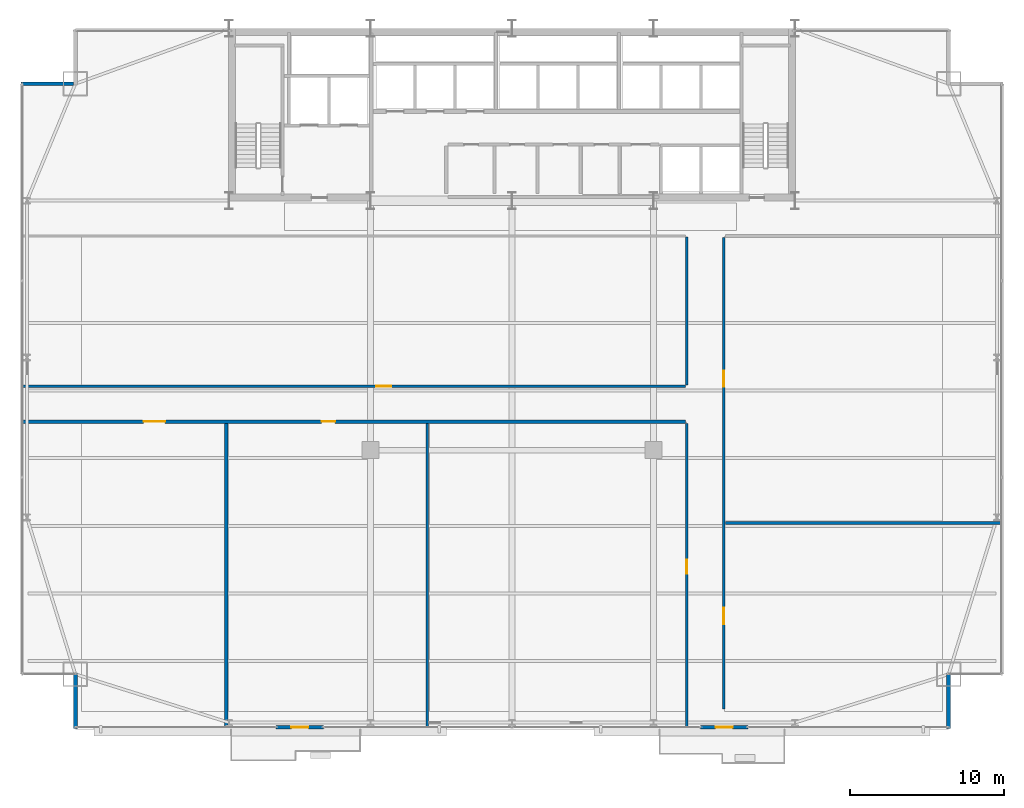
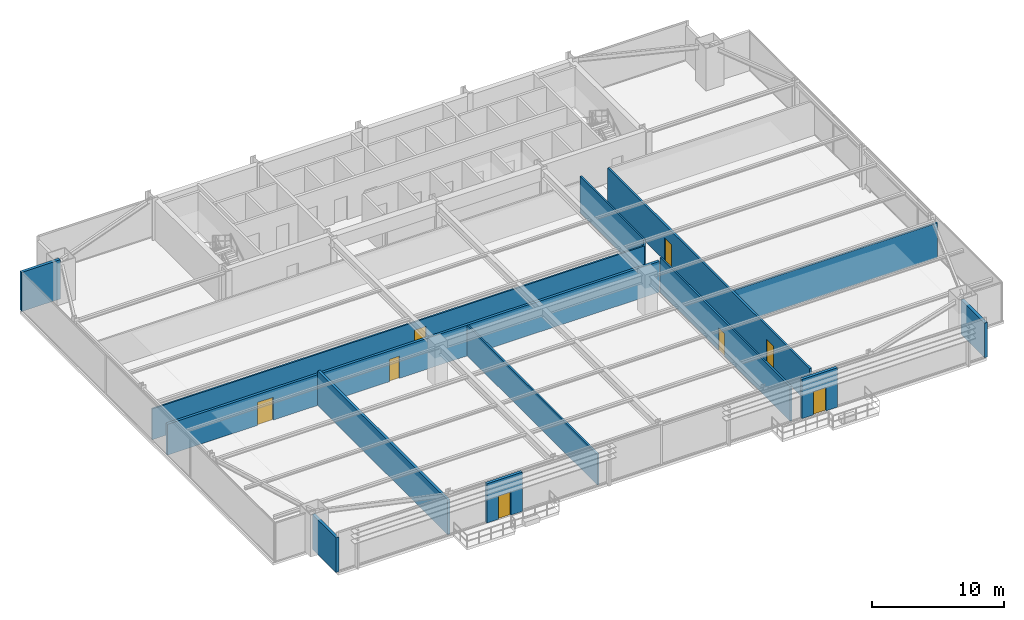
# One storey, part 27 of 31: 13 walls, 8 doors, 8 openings.
"""IFC4 building model written with IfcOpenShell, lengths in metres."""

from ifc_helpers import new_model, si_unit, direction, frame, frame_2d, origin, place, context, subcontext, project, spatial, rectangle, extrude, source, transform, mapped, material, layer, layer_set, type_object, type_shapes, element, fill, save


model = new_model("IFC4")

# Units and contexts
model_context = context("Model", 3, precision=1e-05, world=origin(), true_north=direction((0.0, 1.0)))
body_context = subcontext(model_context, "Body", "Model", "MODEL_VIEW")
ifc_project = project(units=[si_unit("LENGTHUNIT", "METRE"), si_unit("AREAUNIT", "SQUARE_METRE"), si_unit("VOLUMEUNIT", "CUBIC_METRE"), si_unit("PLANEANGLEUNIT", "RADIAN"), si_unit("MASSUNIT", "GRAM", prefix="KILO")], contexts=[model_context])

# Site, building, storey
site_placement = place(None, origin())
site = spatial("IfcSite", under=ifc_project, at=site_placement, CompositionType="ELEMENT")
building_placement = place(site_placement, origin())
building = spatial("IfcBuilding", under=site, at=building_placement, Name="Varnel Quay Broadcast Tower", CompositionType="ELEMENT")
storey_placement = place(building_placement, frame((0.0, 0.0, 51.0)))
storey = spatial("IfcBuildingStorey", under=building, at=storey_placement, Name="L11", CompositionType="ELEMENT", Elevation=51.0)

# Wall, opening, door
ifc_material_1 = material(Name="Precast Architectural Concrete C40/50", Category="concrete")
ifc_layer_1 = layer(ifc_material_1, 0.25, Name="Precast Architectural Concrete C40/50")
ifc_layer_set_1 = layer_set([ifc_layer_1], Name="Precast Architectural Concrete C40/50")
wall_type_1 = type_object("IfcWallType", Name="Wall_ExtTerrace250", PredefinedType="SOLIDWALL", material=ifc_layer_set_1)
wall_1_placement = place(storey_placement, frame((18.64990234375, 1.35009765625, 0.0), z_axis=(0.0, 0.0, 1.0), x_axis=(1.0, 0.0, 0.0)))
wall_1 = element("IfcWall", 1, at=wall_1_placement, inside=storey, type_object=wall_type_1, Name="L11 Terrace Access Wall 1", PredefinedType="SOLIDWALL", context=body_context, shape_type="SweptSolid", body=[
    extrude(rectangle(XDim=3.10009765625, YDim=0.25, at=frame_2d((1.550048828125, 0.0))), origin(), (0.0, 0.0, 1.0), 3.6298828125),
])
opening_1_placement = place(wall_1_placement, frame((1.0, 0.0, 0.0)))
opening_1 = element("IfcOpeningElement", 2, at=opening_1_placement, cuts=wall_1, Name="Opening TD-111", PredefinedType="OPENING", context=body_context, shape_type="SweptSolid", body=[
    extrude(rectangle(XDim=1.10009765625, YDim=2.14990234375, at=frame_2d((0.550048828125, 1.074951171875))), frame((0.0, 0.135009765625, 0.0), z_axis=(0.0, -1.0, 0.0), x_axis=(1.0, 0.0, 0.0)), (0.0, 0.0, 1.0), 0.27001953125),
])
ifc_material_2 = material(Name="Anodised Bronze Aluminium 6063-T6", Category="aluminium")
door_type_1 = type_object("IfcDoorType", Name="Door_ExtTerrace1100", OperationType="NOTDEFINED", PredefinedType="DOOR", material=ifc_material_2)
shared_shape_1 = source(origin(), body_context, "Body", "SweptSolid", [
    extrude(rectangle(XDim=1.10009765625, YDim=2.14990234375, at=frame_2d((0.550048828125, 1.074951171875))), frame((0.0, 0.02490234375, 0.0), z_axis=(0.0, -1.0, 0.0), x_axis=(1.0, 0.0, 0.0)), (0.0, 0.0, 1.0), 0.050048828125),
])
type_shapes(door_type_1, [shared_shape_1])
door_1_placement = place(opening_1_placement, frame((1.10009765625, 0.0, 0.0), z_axis=(0.0, 0.0, 1.0), x_axis=(-1.0, 0.0, 0.0)))
door_1 = element("IfcDoor", 3, at=door_1_placement, inside=storey, type_object=door_type_1, Name="L11 Terrace Door TD-111", OperationType="SINGLE_SWING_LEFT", OverallHeight=2.14990234375, OverallWidth=1.10009765625, PredefinedType="DOOR", context=body_context, shape_type="MappedRepresentation", body=[
    mapped(shared_shape_1, transform((0.0, 0.0, 0.0), x_axis=(1.0, 0.0, 0.0), y_axis=(0.0, 1.0, 0.0), z_axis=(0.0, 0.0, 1.0), scale=1.0)),
])
fill(opening_1, door_1)

wall_2_placement = place(storey_placement, frame((46.25, 1.35009765625, 0.0), z_axis=(0.0, 0.0, 1.0), x_axis=(1.0, 0.0, 0.0)))
wall_2 = element("IfcWall", 4, at=wall_2_placement, inside=storey, type_object=wall_type_1, Name="L11 Terrace Access Wall 2", PredefinedType="SOLIDWALL", context=body_context, shape_type="SweptSolid", body=[
    extrude(rectangle(XDim=3.10009765625, YDim=0.25, at=frame_2d((1.550048828125, 0.0))), origin(), (0.0, 0.0, 1.0), 3.6298828125),
])
opening_2_placement = place(wall_2_placement, frame((1.0, 0.0, 0.0)))
opening_2 = element("IfcOpeningElement", 5, at=opening_2_placement, cuts=wall_2, Name="Opening TD-112", PredefinedType="OPENING", context=body_context, shape_type="SweptSolid", body=[
    extrude(rectangle(XDim=1.10009765625, YDim=2.14990234375, at=frame_2d((0.550048828125, 1.074951171875))), frame((0.0, 0.135009765625, 0.0), z_axis=(0.0, -1.0, 0.0), x_axis=(1.0, 0.0, 0.0)), (0.0, 0.0, 1.0), 0.27001953125),
])
door_2_placement = place(opening_2_placement, frame((1.10009765625, 0.0, 0.0), z_axis=(0.0, 0.0, 1.0), x_axis=(-1.0, 0.0, 0.0)))
door_2 = element("IfcDoor", 6, at=door_2_placement, inside=storey, type_object=door_type_1, Name="L11 Terrace Door TD-112", OperationType="SINGLE_SWING_RIGHT", OverallHeight=2.14990234375, OverallWidth=1.10009765625, PredefinedType="DOOR", context=body_context, shape_type="MappedRepresentation", body=[
    mapped(shared_shape_1, transform((0.0, 0.0, 0.0), x_axis=(1.0, 0.0, 0.0), y_axis=(0.0, 1.0, 0.0), z_axis=(0.0, 0.0, 1.0), scale=1.0)),
])
fill(opening_2, door_2)

# Walls
for number, where, z_axis, x_axis, name in (
    (7, (5.60009765625, 1.280029296875, 0.0), (0.0, 0.0, 1.0), (0.0, 1.0, 0.0), "L11 Mega-Column Notch Cladding Wall NSW2"),
    (8, (62.39990234375, 1.280029296875, 0.0), (0.0, 0.0, 1.0), (0.0, 1.0, 0.0), "L11 Mega-Column Notch Cladding Wall NSE2"),
):
    element("IfcWall", number, at=place(storey_placement, frame(where, z_axis=z_axis, x_axis=x_axis)), inside=storey, type_object=wall_type_1, Name=name, PredefinedType="SOLIDWALL", context=body_context, shape_type="SweptSolid", body=[
        extrude(rectangle(XDim=3.599853515625, YDim=0.25, at=frame_2d((1.7998046875, 0.0))), origin(), (0.0, 0.0, 1.0), 3.2080078125),
    ])
wall_3_placement = place(storey_placement, frame((2.080078125, 43.199951171875, 0.0), z_axis=(0.0, 0.0, 1.0), x_axis=(1.0, 0.0, 0.0)))
element("IfcWall", 9, at=wall_3_placement, inside=storey, type_object=wall_type_1, Name="L11 Mega-Column Notch Cladding Wall NNW1", PredefinedType="SOLIDWALL", context=body_context, shape_type="SweptSolid", body=[
    extrude(rectangle(XDim=3.389892578125, YDim=0.25, at=frame_2d((1.69482421875, 0.0))), origin(), (0.0, 0.0, 1.0), 3.6298828125),
])

# Wall, opening, door
ifc_material_3 = material(Name="Steel-Stud Fire-Rated Acoustic Gypsum Partition Assembly", Category="steel")
ifc_layer_2 = layer(ifc_material_3, 0.139892578125, Name="Steel-Stud Fire-Rated Acoustic Gypsum Partition Assembly")
ifc_layer_set_2 = layer_set([ifc_layer_2], Name="Steel-Stud Fire-Rated Acoustic Gypsum Partition Assembly")
wall_type_2 = type_object("IfcWallType", Name="Wall_Partition140", PredefinedType="PARTITIONING", material=ifc_layer_set_2)
wall_4_placement = place(storey_placement, frame((2.179931640625, 23.530029296875, 0.0), z_axis=(0.0, 0.0, 1.0), x_axis=(1.0, 0.0, 0.0)))
wall_4 = element("IfcWall", 10, at=wall_4_placement, inside=storey, type_object=wall_type_2, Name="L11 Reading Lounge 4 Partition 12", PredefinedType="PARTITIONING", context=body_context, shape_type="SweptSolid", body=[
    extrude(rectangle(XDim=43.090087890625, YDim=0.139892578125, at=frame_2d((21.544921875, 0.0))), origin(), (0.0, 0.0, 1.0), 2.85205078125),
])
opening_3_placement = place(wall_4_placement, frame((22.97998046875, 0.0, 0.0)))
opening_3 = element("IfcOpeningElement", 11, at=opening_3_placement, cuts=wall_4, Name="Opening D-L11-09", PredefinedType="OPENING", context=body_context, shape_type="SweptSolid", body=[
    extrude(rectangle(XDim=1.0, YDim=2.10009765625, at=frame_2d((0.5, 1.050048828125))), frame((0.0, 0.080078125, 0.0), z_axis=(0.0, -1.0, 0.0), x_axis=(1.0, 0.0, 0.0)), (0.0, 0.0, 1.0), 0.159912109375),
])
ifc_material_4 = material(Name="Solid-Core Fire-Rated Acoustic Oak Veneer Door", Category="wood")
door_type_2 = type_object("IfcDoorType", Name="Door_Exec1000", OperationType="NOTDEFINED", PredefinedType="DOOR", material=ifc_material_4)
shared_shape_2 = source(origin(), body_context, "Body", "SweptSolid", [
    extrude(rectangle(XDim=1.0, YDim=2.10009765625, at=frame_2d((0.5, 1.050048828125))), frame((0.0, 0.02490234375, 0.0), z_axis=(0.0, -1.0, 0.0), x_axis=(1.0, 0.0, 0.0)), (0.0, 0.0, 1.0), 0.050048828125),
])
type_shapes(door_type_2, [shared_shape_2])
door_3_placement = place(opening_3_placement, origin())
door_3 = element("IfcDoor", 12, at=door_3_placement, inside=storey, type_object=door_type_2, Name="L11 Reading Lounge 4 Door D-L11-09", OperationType="SINGLE_SWING_RIGHT", OverallHeight=2.10009765625, OverallWidth=1.0, PredefinedType="DOOR", context=body_context, shape_type="MappedRepresentation", body=[
    mapped(shared_shape_2, transform((0.0, 0.0, 0.0), x_axis=(1.0, 0.0, 0.0), y_axis=(0.0, 1.0, 0.0), z_axis=(0.0, 0.0, 1.0), scale=1.0)),
])
fill(opening_3, door_3)

# Walls
wall_5_placement = place(storey_placement, frame((45.3701171875, 23.60009765625, 0.0), z_axis=(0.0, 0.0, 1.0), x_axis=(0.0, 1.0, 0.0)))
element("IfcWall", 13, at=wall_5_placement, inside=storey, type_object=wall_type_2, Name="L11 Reading Lounge 4 Partition 13", PredefinedType="PARTITIONING", context=body_context, shape_type="SweptSolid", body=[
    extrude(rectangle(XDim=9.6298828125, YDim=0.139892578125, at=frame_2d((4.81494140625, 0.0))), origin(), (0.0, 0.0, 1.0), 3.3779296875),
])
ifc_layer_3 = layer(ifc_material_3, 0.14990234375, Name="Steel-Stud Fire-Rated Acoustic Gypsum Partition Assembly")
ifc_layer_set_3 = layer_set([ifc_layer_3], Name="Steel-Stud Fire-Rated Acoustic Gypsum Partition Assembly")
wall_type_3 = type_object("IfcWallType", Name="Wall_Partition150", PredefinedType="PARTITIONING", material=ifc_layer_set_3)
wall_6_placement = place(storey_placement, frame((28.489990234375, 1.3798828125, 0.0), z_axis=(0.0, 0.0, 1.0), x_axis=(0.0, 1.0, 0.0)))
element("IfcWall", 14, at=wall_6_placement, inside=storey, type_object=wall_type_3, Name="L11 Catering Kitchen 2 Partition 10", PredefinedType="PARTITIONING", context=body_context, shape_type="SweptSolid", body=[
    extrude(rectangle(XDim=19.737060546875, YDim=0.14990234375, at=frame_2d((9.86865234375, 0.0))), origin(), (0.0, 0.0, 1.0), 2.85205078125),
])

# Wall, opening, door
wall_7_placement = place(storey_placement, frame((45.3701171875, 1.3798828125, 0.0), z_axis=(0.0, 0.0, 1.0), x_axis=(0.0, 1.0, 0.0)))
wall_7 = element("IfcWall", 15, at=wall_7_placement, inside=storey, type_object=wall_type_3, Name="L11 Bureau Office 3 Partition 11", PredefinedType="PARTITIONING", context=body_context, shape_type="SweptSolid", body=[
    extrude(rectangle(XDim=19.737060546875, YDim=0.14990234375, at=frame_2d((9.86865234375, 0.0))), origin(), (0.0, 0.0, 1.0), 3.2080078125),
])
opening_4_placement = place(wall_7_placement, frame((9.93798828125, 0.0, 0.0)))
opening_4 = element("IfcOpeningElement", 16, at=opening_4_placement, cuts=wall_7, Name="Opening D-L11-08", PredefinedType="OPENING", context=body_context, shape_type="SweptSolid", body=[
    extrude(rectangle(XDim=0.919921875, YDim=2.080078125, at=frame_2d((0.4599609375, 1.0400390625))), frame((0.0, 0.0849609375, 0.0), z_axis=(0.0, -1.0, 0.0), x_axis=(1.0, 0.0, 0.0)), (0.0, 0.0, 1.0), 0.169921875),
])
door_type_3 = type_object("IfcDoorType", Name="Door_Office920", OperationType="NOTDEFINED", PredefinedType="DOOR", material=ifc_material_4)
shared_shape_3 = source(origin(), body_context, "Body", "SweptSolid", [
    extrude(rectangle(XDim=0.919921875, YDim=2.080078125, at=frame_2d((0.4599609375, 1.0400390625))), frame((0.0, 0.02490234375, 0.0), z_axis=(0.0, -1.0, 0.0), x_axis=(1.0, 0.0, 0.0)), (0.0, 0.0, 1.0), 0.050048828125),
])
type_shapes(door_type_3, [shared_shape_3])
door_4_placement = place(opening_4_placement, origin())
door_4 = element("IfcDoor", 17, at=door_4_placement, inside=storey, type_object=door_type_3, Name="L11 Bureau Office 3 Door D-L11-08", OperationType="SINGLE_SWING_LEFT", OverallHeight=2.080078125, OverallWidth=0.919921875, PredefinedType="DOOR", context=body_context, shape_type="MappedRepresentation", body=[
    mapped(shared_shape_3, transform((0.0, 0.0, 0.0), x_axis=(1.0, 0.0, 0.0), y_axis=(0.0, 1.0, 0.0), z_axis=(0.0, 0.0, 1.0), scale=1.0)),
])
fill(opening_4, door_4)

# Wall
ifc_layer_4 = layer(ifc_material_3, 0.175048828125, Name="Steel-Stud Fire-Rated Acoustic Gypsum Partition Assembly")
ifc_layer_set_4 = layer_set([ifc_layer_4], Name="Steel-Stud Fire-Rated Acoustic Gypsum Partition Assembly")
wall_type_4 = type_object("IfcWallType", Name="Wall_Partition175", PredefinedType="PARTITIONING", material=ifc_layer_set_4)
wall_8_placement = place(storey_placement, frame((47.8701171875, 14.6298828125, 0.0), z_axis=(0.0, 0.0, 1.0), x_axis=(1.0, 0.0, 0.0)))
element("IfcWall", 18, at=wall_8_placement, inside=storey, type_object=wall_type_4, Name="L11 Broadcast Seminar Room 5 Partition 15", PredefinedType="PARTITIONING", context=body_context, shape_type="SweptSolid", body=[
    extrude(rectangle(XDim=17.949951171875, YDim=0.175048828125, at=frame_2d((8.97509765625, 0.0))), origin(), (0.0, 0.0, 1.0), 3.2080078125),
])

# Wall, openings, doors
wall_9_placement = place(storey_placement, frame((47.77001953125, 2.550048828125, 0.0), z_axis=(0.0, 0.0, 1.0), x_axis=(0.0, 1.0, 0.0)))
wall_9 = element("IfcWall", 19, at=wall_9_placement, inside=storey, type_object=wall_type_4, Name="L11 Broadcast Seminar Room 5 Partition 16", PredefinedType="PARTITIONING", context=body_context, shape_type="SweptSolid", body=[
    extrude(rectangle(XDim=30.661865234375, YDim=0.175048828125, at=frame_2d((15.3310546875, 0.0))), origin(), (0.0, 0.0, 1.0), 3.322021484375),
])
opening_5_placement = place(wall_9_placement, frame((5.514892578125, 0.0, 0.0)))
opening_5 = element("IfcOpeningElement", 20, at=opening_5_placement, cuts=wall_9, Name="Opening D-L11-10", PredefinedType="OPENING", context=body_context, shape_type="SweptSolid", body=[
    extrude(rectangle(XDim=1.050048828125, YDim=2.10009765625, at=frame_2d((0.52490234375, 1.050048828125))), frame((0.0, 0.09765625, 0.0), z_axis=(0.0, -1.0, 0.0), x_axis=(1.0, 0.0, 0.0)), (0.0, 0.0, 1.0), 0.195068359375),
])
opening_6_placement = place(wall_9_placement, frame((20.93994140625, 0.0, 0.0)))
opening_6 = element("IfcOpeningElement", 21, at=opening_6_placement, cuts=wall_9, Name="Opening D-L11-11", PredefinedType="OPENING", context=body_context, shape_type="SweptSolid", body=[
    extrude(rectangle(XDim=1.050048828125, YDim=2.10009765625, at=frame_2d((0.52490234375, 1.050048828125))), frame((0.0, 0.09765625, 0.0), z_axis=(0.0, -1.0, 0.0), x_axis=(1.0, 0.0, 0.0)), (0.0, 0.0, 1.0), 0.195068359375),
])
door_type_4 = type_object("IfcDoorType", Name="Door_Meeting1050", OperationType="NOTDEFINED", PredefinedType="DOOR", material=ifc_material_4)
shared_shape_4 = source(origin(), body_context, "Body", "SweptSolid", [
    extrude(rectangle(XDim=1.050048828125, YDim=2.10009765625, at=frame_2d((0.52490234375, 1.050048828125))), frame((0.0, 0.02490234375, 0.0), z_axis=(0.0, -1.0, 0.0), x_axis=(1.0, 0.0, 0.0)), (0.0, 0.0, 1.0), 0.050048828125),
])
type_shapes(door_type_4, [shared_shape_4])
door_5_placement = place(opening_5_placement, frame((1.050048828125, 0.0, 0.0), z_axis=(0.0, 0.0, 1.0), x_axis=(-1.0, 0.0, 0.0)))
door_5 = element("IfcDoor", 22, at=door_5_placement, inside=storey, type_object=door_type_4, Name="L11 Broadcast Seminar Room 5 Door D-L11-10", OperationType="SINGLE_SWING_LEFT", OverallHeight=2.10009765625, OverallWidth=1.050048828125, PredefinedType="DOOR", context=body_context, shape_type="MappedRepresentation", body=[
    mapped(shared_shape_4, transform((0.0, 0.0, 0.0), x_axis=(1.0, 0.0, 0.0), y_axis=(0.0, 1.0, 0.0), z_axis=(0.0, 0.0, 1.0), scale=1.0)),
])
fill(opening_5, door_5)
door_6_placement = place(opening_6_placement, frame((1.050048828125, 0.0, 0.0), z_axis=(0.0, 0.0, 1.0), x_axis=(-1.0, 0.0, 0.0)))
door_6 = element("IfcDoor", 23, at=door_6_placement, inside=storey, type_object=door_type_4, Name="L11 Press Briefing Room 6 Door D-L11-11", OperationType="SINGLE_SWING_RIGHT", OverallHeight=2.10009765625, OverallWidth=1.050048828125, PredefinedType="DOOR", context=body_context, shape_type="MappedRepresentation", body=[
    mapped(shared_shape_4, transform((0.0, 0.0, 0.0), x_axis=(1.0, 0.0, 0.0), y_axis=(0.0, 1.0, 0.0), z_axis=(0.0, 0.0, 1.0), scale=1.0)),
])
fill(opening_6, door_6)

# Wall
ifc_layer_5 = layer(ifc_material_3, 0.22509765625, Name="Steel-Stud Fire-Rated Acoustic Gypsum Partition Assembly")
ifc_layer_set_5 = layer_set([ifc_layer_5], Name="Steel-Stud Fire-Rated Acoustic Gypsum Partition Assembly")
wall_type_5 = type_object("IfcWallType", Name="Wall_Partition225", PredefinedType="PARTITIONING", material=ifc_layer_set_5)
wall_10_placement = place(storey_placement, frame((15.419921875, 1.3798828125, 0.0), z_axis=(0.0, 0.0, 1.0), x_axis=(0.0, 1.0, 0.0)))
element("IfcWall", 24, at=wall_10_placement, inside=storey, type_object=wall_type_5, Name="L11 Journalism Training Studio 1 Partition 8", PredefinedType="PARTITIONING", context=body_context, shape_type="SweptSolid", body=[
    extrude(rectangle(XDim=19.737060546875, YDim=0.22509765625, at=frame_2d((9.86865234375, 0.0))), origin(), (0.0, 0.0, 1.0), 3.2080078125),
])

# Wall, openings, doors
wall_11_placement = place(storey_placement, frame((2.179931640625, 21.22998046875, 0.0), z_axis=(0.0, 0.0, 1.0), x_axis=(1.0, 0.0, 0.0)))
wall_11 = element("IfcWall", 25, at=wall_11_placement, inside=storey, type_object=wall_type_5, Name="L11 Journalism Training Studio 1 Partition 9", PredefinedType="PARTITIONING", context=body_context, shape_type="SweptSolid", body=[
    extrude(rectangle(XDim=43.090087890625, YDim=0.22509765625, at=frame_2d((21.544921875, 0.0))), origin(), (0.0, 0.0, 1.0), 2.85205078125),
])
opening_7_placement = place(wall_11_placement, frame((7.85498046875, 0.0, 0.0)))
opening_7 = element("IfcOpeningElement", 26, at=opening_7_placement, cuts=wall_11, Name="Opening D-L11-06", PredefinedType="OPENING", context=body_context, shape_type="SweptSolid", body=[
    extrude(rectangle(XDim=1.39990234375, YDim=2.1201171875, at=frame_2d((0.699951171875, 1.06005859375))), frame((0.0, 0.12255859375, 0.0), z_axis=(0.0, -1.0, 0.0), x_axis=(1.0, 0.0, 0.0)), (0.0, 0.0, 1.0), 0.2451171875),
])
opening_8_placement = place(wall_11_placement, frame((19.43505859375, 0.0, 0.0)))
opening_8 = element("IfcOpeningElement", 27, at=opening_8_placement, cuts=wall_11, Name="Opening D-L11-07", PredefinedType="OPENING", context=body_context, shape_type="SweptSolid", body=[
    extrude(rectangle(XDim=0.8798828125, YDim=2.06005859375, at=frame_2d((0.43994140625, 1.030029296875))), frame((0.0, 0.12255859375, 0.0), z_axis=(0.0, -1.0, 0.0), x_axis=(1.0, 0.0, 0.0)), (0.0, 0.0, 1.0), 0.2451171875),
])
door_type_5 = type_object("IfcDoorType", Name="Door_Booth880", OperationType="NOTDEFINED", PredefinedType="DOOR", material=ifc_material_4)
shared_shape_5 = source(origin(), body_context, "Body", "SweptSolid", [
    extrude(rectangle(XDim=0.8798828125, YDim=2.06005859375, at=frame_2d((0.43994140625, 1.030029296875))), frame((0.0, 0.02490234375, 0.0), z_axis=(0.0, -1.0, 0.0), x_axis=(1.0, 0.0, 0.0)), (0.0, 0.0, 1.0), 0.050048828125),
])
type_shapes(door_type_5, [shared_shape_5])
door_7_placement = place(opening_8_placement, frame((0.8798828125, 0.0, 0.0), z_axis=(0.0, 0.0, 1.0), x_axis=(-1.0, 0.0, 0.0)))
door_7 = element("IfcDoor", 28, at=door_7_placement, inside=storey, type_object=door_type_5, Name="L11 Catering Kitchen 2 Door D-L11-07", OperationType="SINGLE_SWING_RIGHT", OverallHeight=2.06005859375, OverallWidth=0.8798828125, PredefinedType="DOOR", context=body_context, shape_type="MappedRepresentation", body=[
    mapped(shared_shape_5, transform((0.0, 0.0, 0.0), x_axis=(1.0, 0.0, 0.0), y_axis=(0.0, 1.0, 0.0), z_axis=(0.0, 0.0, 1.0), scale=1.0)),
])
fill(opening_8, door_7)
door_type_6 = type_object("IfcDoorType", Name="Door_Gallery1400", OperationType="DOUBLE_DOOR_SINGLE_SWING", PredefinedType="DOOR", material=ifc_material_4)
shared_shape_6 = source(origin(), body_context, "Body", "SweptSolid", [
    extrude(rectangle(XDim=1.39990234375, YDim=2.1201171875, at=frame_2d((0.699951171875, 1.06005859375))), frame((0.0, 0.02490234375, 0.0), z_axis=(0.0, -1.0, 0.0), x_axis=(1.0, 0.0, 0.0)), (0.0, 0.0, 1.0), 0.050048828125),
])
type_shapes(door_type_6, [shared_shape_6])
door_8_placement = place(opening_7_placement, frame((1.39990234375, 0.0, 0.0), z_axis=(0.0, 0.0, 1.0), x_axis=(-1.0, 0.0, 0.0)))
door_8 = element("IfcDoor", 29, at=door_8_placement, inside=storey, type_object=door_type_6, Name="L11 Journalism Training Studio 1 Door D-L11-06", OperationType="DOUBLE_DOOR_SINGLE_SWING", OverallHeight=2.1201171875, OverallWidth=1.39990234375, PredefinedType="DOOR", context=body_context, shape_type="MappedRepresentation", body=[
    mapped(shared_shape_6, transform((0.0, 0.0, 0.0), x_axis=(1.0, 0.0, 0.0), y_axis=(0.0, 1.0, 0.0), z_axis=(0.0, 0.0, 1.0), scale=1.0)),
])
fill(opening_7, door_8)

save(model, "model.ifc")
